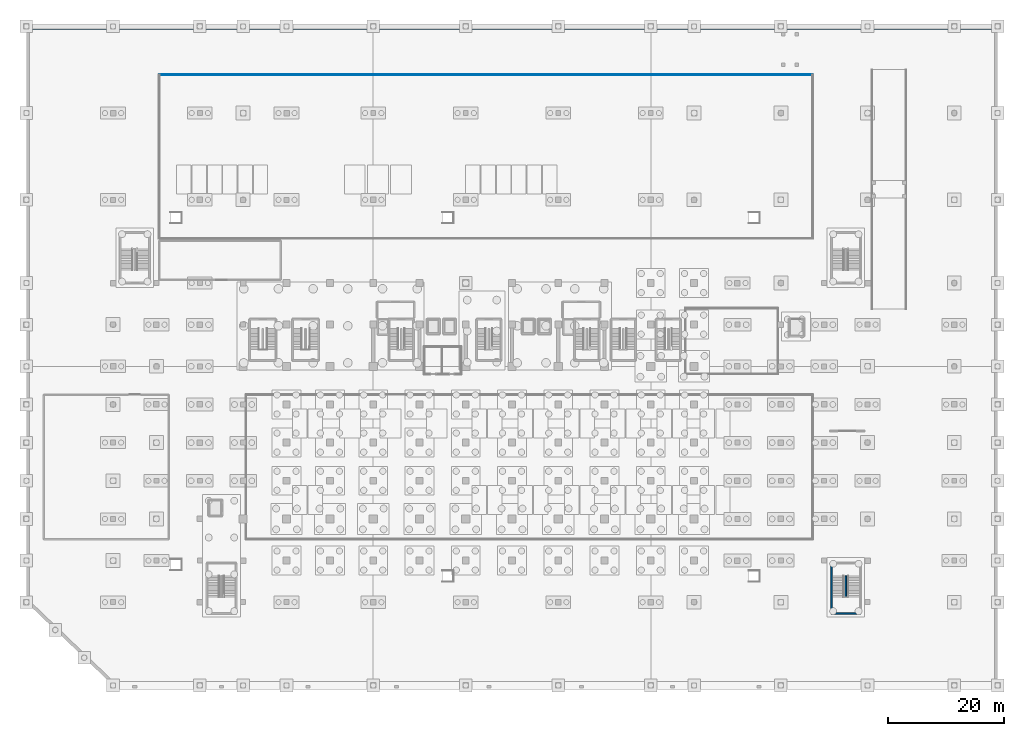
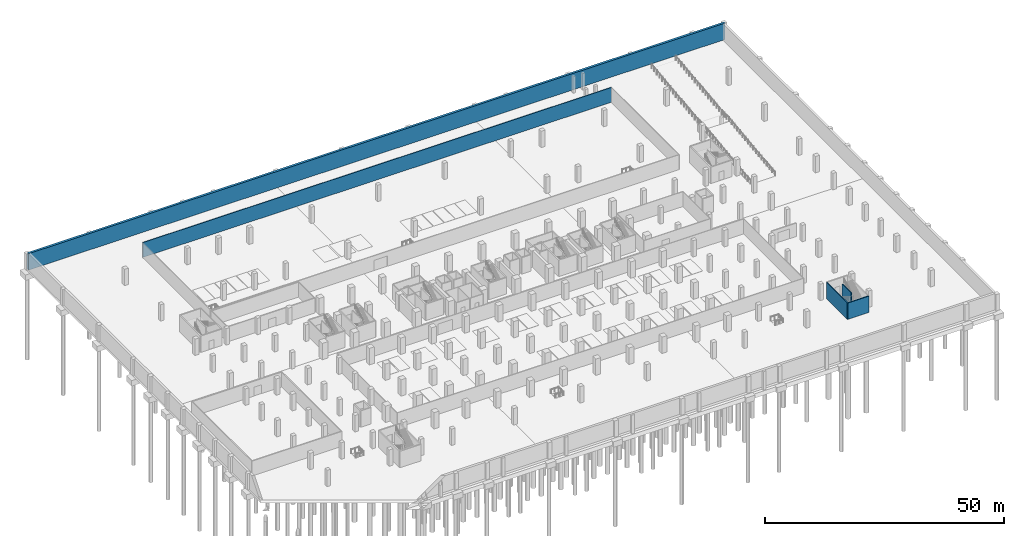
# One storey, part 15 of 26: 5 walls.
"""IFC4 building model written with IfcOpenShell, lengths in metres."""

from ifc_helpers import new_model, si_unit, direction, frame, frame_2d, origin, place, context, subcontext, project, spatial, rectangle, extrude, material, layer, layer_set, type_object, element, save


model = new_model("IFC4")

# Units and contexts
model_context = context("Model", 3, precision=1e-05, world=origin(), true_north=direction((0.0, 1.0)))
body_context = subcontext(model_context, "Body", "Model", "MODEL_VIEW")
ifc_project = project(units=[si_unit("LENGTHUNIT", "METRE"), si_unit("AREAUNIT", "SQUARE_METRE"), si_unit("VOLUMEUNIT", "CUBIC_METRE"), si_unit("PLANEANGLEUNIT", "RADIAN"), si_unit("MASSUNIT", "GRAM", prefix="KILO")], contexts=[model_context])

# Site, building, storey
site_placement = place(None, origin())
site = spatial("IfcSite", under=ifc_project, at=site_placement, CompositionType="ELEMENT")
building_placement = place(site_placement, origin())
building = spatial("IfcBuilding", under=site, at=building_placement, Name="Akrevak Sports Hall", CompositionType="ELEMENT")
storey_placement = place(building_placement, frame((0.0, 0.0, -9.0)))
storey = spatial("IfcBuildingStorey", under=building, at=storey_placement, Name="B02", CompositionType="ELEMENT", Elevation=-9.0)

# Walls
ifc_material_1 = material(Name="Double Stud Acoustic Gypsum Partition", Category="gypsum")
ifc_layer_1 = layer(ifc_material_1, 0.14990234375, Name="Double Stud Acoustic Gypsum Partition")
ifc_layer_set_1 = layer_set([ifc_layer_1], Name="Double Stud Acoustic Gypsum Partition")
wall_type_1 = type_object("IfcWallType", Name="ARC-WL-PRT-150", PredefinedType="PARTITIONING", material=ifc_layer_set_1)
wall_1_placement = place(storey_placement, frame((23.0, 105.60009765625, 0.0), z_axis=(0.0, 0.0, 1.0), x_axis=(1.0, 0.0, 0.0)))
element("IfcWall", 1, at=wall_1_placement, inside=storey, type_object=wall_type_1, Name="Interior Partition Underground Car Park Hall North B02 (N)", PredefinedType="PARTITIONING", context=body_context, shape_type="SweptSolid", body=[
    extrude(rectangle(XDim=113.0, YDim=0.14990234375, at=frame_2d((56.5, 0.0))), origin(), (0.0, 0.0, 1.0), 3.780029296875),
])
ifc_material_2 = material(Name="Concrete C40/50", Category="concrete")
ifc_layer_2 = layer(ifc_material_2, 0.219970703125, Name="Concrete C40/50")
ifc_layer_set_2 = layer_set([ifc_layer_2], Name="Concrete C40/50")
wall_type_2 = type_object("IfcWallType", Name="ARC-WL-PRT-220", PredefinedType="PARTITIONING", material=ifc_layer_set_2)
wall_2_placement = place(storey_placement, frame((141.75, 15.31005859375, 0.0), z_axis=(0.0, 0.0, 1.0), x_axis=(0.0, 1.0, 0.0)))
element("IfcWall", 2, at=wall_2_placement, inside=storey, type_object=wall_type_2, Name="Stair ST7 Central Spine Wall (B02)", PredefinedType="PARTITIONING", context=body_context, shape_type="SweptSolid", body=[
    extrude(rectangle(XDim=3.639892578125, YDim=0.219970703125, at=frame_2d((1.81982421875, 0.0))), origin(), (0.0, 0.0, 1.0), 4.179931640625),
])
ifc_layer_3 = layer(ifc_material_2, 0.550048828125, Name="Concrete C40/50")
ifc_layer_set_3 = layer_set([ifc_layer_3], Name="Concrete C40/50")
wall_type_3 = type_object("IfcWallType", Name="STR-WL-RET-550", PredefinedType="SOLIDWALL", material=ifc_layer_set_3)
wall_3_placement = place(storey_placement, frame((168.0, 113.72509765625, 0.0), z_axis=(0.0, 0.0, 1.0), x_axis=(-1.0, 0.0, 0.0)))
element("IfcWall", 3, at=wall_3_placement, inside=storey, type_object=wall_type_3, Name="Basement Retaining Wall B02-3", PredefinedType="SOLIDWALL", context=body_context, shape_type="SweptSolid", body=[
    extrude(rectangle(XDim=168.0, YDim=0.550048828125, at=frame_2d((84.0, 0.0))), origin(), (0.0, 0.0, 1.0), 4.179931640625),
])
ifc_material_3 = material(Name="Concrete C50/60", Category="concrete")
ifc_layer_4 = layer(ifc_material_3, 0.25, Name="Concrete C50/60")
ifc_layer_set_4 = layer_set([ifc_layer_4], Name="Concrete C50/60")
wall_type_4 = type_object("IfcWallType", Name="STR-WL-STAIR-250", PredefinedType="SHEAR", material=ifc_layer_set_4)
wall_4_placement = place(storey_placement, frame((139.22509765625, 12.47509765625, 0.0), z_axis=(0.0, 0.0, 1.0), x_axis=(1.0, 0.0, 0.0)))
element("IfcWall", 4, at=wall_4_placement, inside=storey, type_object=wall_type_4, Name="Stair Core ST7 Shear Wall S (B02)", PredefinedType="SHEAR", context=body_context, shape_type="SweptSolid", body=[
    extrude(rectangle(XDim=5.0498046875, YDim=0.25, at=frame_2d((2.52490234375, 0.0))), origin(), (0.0, 0.0, 1.0), 4.179931640625),
])
wall_5_placement = place(storey_placement, frame((139.22509765625, 21.175048828125, 0.0), z_axis=(0.0, 0.0, 1.0), x_axis=(0.0, -1.0, 0.0)))
element("IfcWall", 5, at=wall_5_placement, inside=storey, type_object=wall_type_4, Name="Stair Core ST7 Shear Wall W (B02)", PredefinedType="SHEAR", context=body_context, shape_type="SweptSolid", body=[
    extrude(rectangle(XDim=8.699951171875, YDim=0.25, at=frame_2d((4.35009765625, 0.0))), origin(), (0.0, 0.0, 1.0), 4.179931640625),
])

save(model, "model.ifc")
